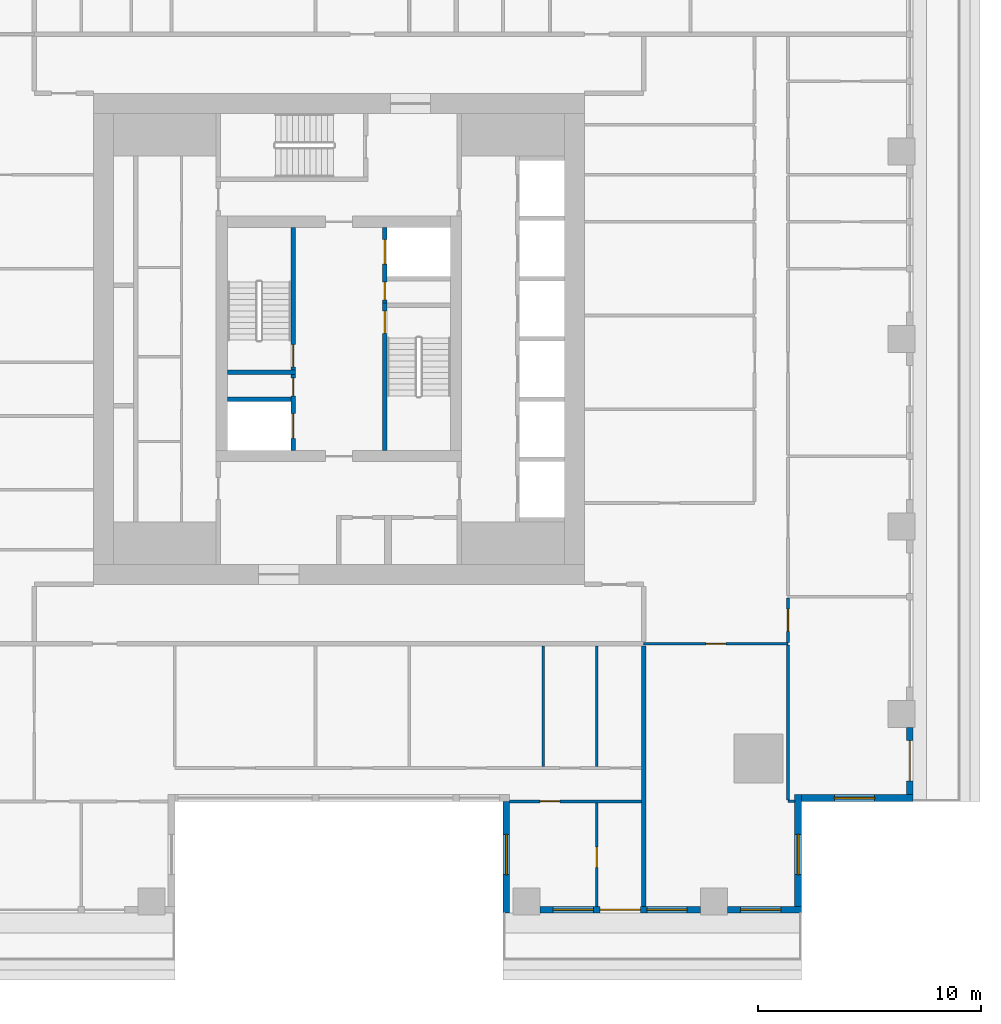
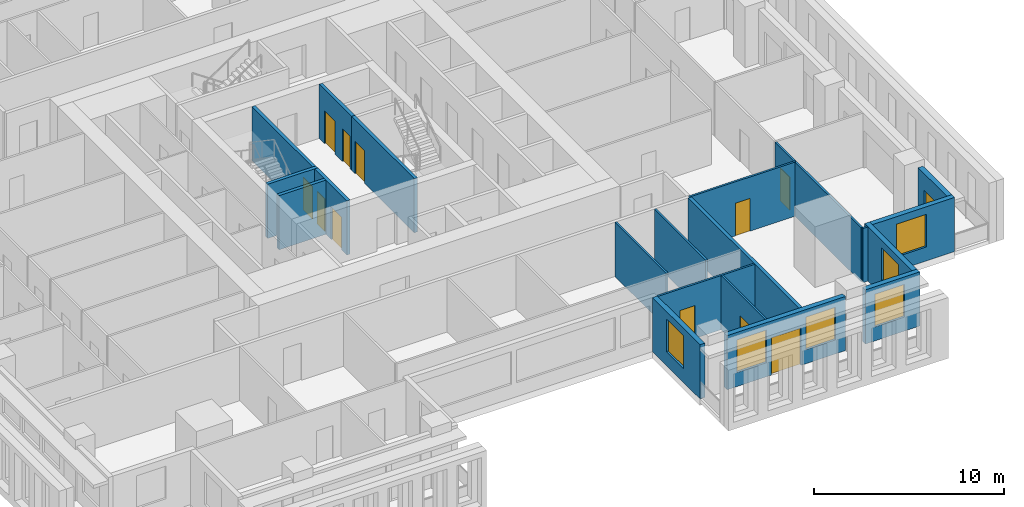
# One storey, part 4 of 15: 21 walls, 12 doors, 6 windows, 18 openings.
"""IFC4 building model written with IfcOpenShell, lengths in metres."""

import ifcopenshell
import ifcopenshell.guid

model = None  # the IFC model being written
_history = None  # IfcOwnerHistory: only IFC2X3 demands one
_inside = {}  # id of a spatial element -> (the spatial element, [elements in it])
_under = {}  # id of a project, library or spatial element -> (it, [spatial elements below it])
_declared = {}  # id of a project -> (the project, [libraries it declares])
_typed = {}  # id of a type object -> (the type object, [elements of that type])
_made_of = {}  # id of a material, layer set ... -> (it, [elements and type objects made of it])


def new_model(schema):
    """Start an empty IFC model of exactly this schema.

    Asked for "IFC4X3", IfcOpenShell would pick the latest addendum, in which some entities
    have other attributes; the version numbers below select the first issue.
    IFC2X3 requires an IfcOwnerHistory on every rooted entity: one is made here for all.
    """
    global model, _history
    if schema == "IFC4X3":
        model = ifcopenshell.file(schema_version=(4, 3, 0, 0))
    else:
        model = ifcopenshell.file(schema=schema)
    _inside.clear()
    _under.clear()
    _declared.clear()
    _typed.clear()
    _made_of.clear()
    _history = None
    if model.schema == "IFC2X3":
        org = make("IfcOrganization", Name="unknown")
        user = make(
            "IfcPersonAndOrganization",
            ThePerson=make("IfcPerson", FamilyName="unknown"),
            TheOrganization=org,
        )
        app = make(
            "IfcApplication",
            ApplicationDeveloper=org,
            Version="unknown",
            ApplicationFullName="unknown",
            ApplicationIdentifier="unknown",
        )
        _history = make(
            "IfcOwnerHistory",
            OwningUser=user,
            OwningApplication=app,
            ChangeAction="ADDED",
            CreationDate=0,
        )
    return model


def make(cls, **values):
    """One entity of the class cls with the attributes given. An attribute that is None is left unset."""
    return model.create_entity(
        cls, **{name: value for name, value in values.items() if value is not None}
    )


def rooted(cls, **values):
    """An entity with a GlobalId (a new one), such as an element, a storey or a relation."""
    return make(cls, GlobalId=ifcopenshell.guid.new(), OwnerHistory=_history, **values)


def si_unit(unit_type, name, prefix=None):
    """IfcSIUnit, for example si_unit("LENGTHUNIT", "METRE", prefix="MILLI")."""
    return make("IfcSIUnit", UnitType=unit_type, Prefix=prefix, Name=name)


def assignment(units):
    """IfcUnitAssignment: the units of a project."""
    return None if units is None else make("IfcUnitAssignment", Units=units)


def point(xyz):
    """IfcCartesianPoint."""
    return None if xyz is None else make("IfcCartesianPoint", Coordinates=xyz)


def direction(xyz):
    """IfcDirection."""
    return None if xyz is None else make("IfcDirection", DirectionRatios=xyz)


def frame(location, z_axis=None, x_axis=None):
    """IfcAxis2Placement3D, a coordinate frame: its origin and axes. An axis left out is left unset."""
    return make(
        "IfcAxis2Placement3D",
        Location=point(location),
        Axis=direction(z_axis),
        RefDirection=direction(x_axis),
    )


def frame_2d(location, x_axis=None):
    """IfcAxis2Placement2D, a coordinate frame in the plane: its origin and x axis."""
    return make(
        "IfcAxis2Placement2D", Location=point(location), RefDirection=direction(x_axis)
    )


def origin():
    """The frame at (0, 0, 0) with its axes left unset."""
    return frame((0.0, 0.0, 0.0))


def place(relative_to, where):
    """IfcLocalPlacement: puts the frame where relative to a parent placement (None: the world)."""
    return make(
        "IfcLocalPlacement", PlacementRelTo=relative_to, RelativePlacement=where
    )


def context(
    kind, dimensions, precision=None, world=None, true_north=None, identifier=None
):
    """IfcGeometricRepresentationContext, for example the 3D "Model" context."""
    return make(
        "IfcGeometricRepresentationContext",
        ContextIdentifier=identifier,
        ContextType=kind,
        CoordinateSpaceDimension=dimensions,
        Precision=precision,
        WorldCoordinateSystem=world,
        TrueNorth=true_north,
    )


def subcontext(parent, identifier, kind, view, scale=None):
    """IfcGeometricRepresentationSubContext, for example "Body" below "Model"."""
    return make(
        "IfcGeometricRepresentationSubContext",
        ContextIdentifier=identifier,
        ContextType=kind,
        ParentContext=parent,
        TargetScale=scale,
        TargetView=view,
    )


def project(units=None, contexts=None):
    """IfcProject with its units and contexts."""
    return rooted(
        "IfcProject",
        Name="project",
        RepresentationContexts=contexts,
        UnitsInContext=assignment(units),
    )


def spatial(cls, under=None, at=None, **own):
    """A site, building, storey or space (cls), placed at a placement, below another one or the project."""
    s = rooted(cls, ObjectPlacement=at, **own)
    if under is not None:
        _under.setdefault(under.id(), (under, []))[1].append(s)
    return s


def profile(cls, at=None, kind="AREA", **sizes):
    """A parametric profile (cls). Its sizes go by their IFC names, for example OverallWidth=200.0."""
    return make(cls, ProfileType=kind, Position=at, **sizes)


def rectangle(**sizes):
    """IfcRectangleProfileDef."""
    return profile("IfcRectangleProfileDef", **sizes)


def extrude(swept, where, along, depth):
    """IfcExtrudedAreaSolid: the profile swept, set in the frame where, extruded along a direction by depth."""
    return make(
        "IfcExtrudedAreaSolid",
        SweptArea=swept,
        Position=where,
        ExtrudedDirection=direction(along),
        Depth=depth,
    )


def shape(context_of_items, identifier, shape_type, items):
    """IfcShapeRepresentation: the items that make up one representation, for example the "Body"."""
    return make(
        "IfcShapeRepresentation",
        ContextOfItems=context_of_items,
        RepresentationIdentifier=identifier,
        RepresentationType=shape_type,
        Items=items,
    )


def material(Name=None, Category=None):
    """IfcMaterial."""
    return make("IfcMaterial", Name=Name, Category=Category)


def layer(
    of_material, thickness, ventilated=None, Name=None, Category=None, Priority=None
):
    """IfcMaterialLayer: one layer of a wall or slab, of a material (None: an air gap)."""
    return make(
        "IfcMaterialLayer",
        Material=of_material,
        LayerThickness=thickness,
        IsVentilated=ventilated,
        Name=Name,
        Category=Category,
        Priority=Priority,
    )


def layer_set(layers, Name=None):
    """IfcMaterialLayerSet."""
    return make("IfcMaterialLayerSet", MaterialLayers=layers, LayerSetName=Name)


def made_of(thing, what):
    """Note that an element or type object is made of a material, layer set ...; save() writes the relation."""
    if what is not None:
        _made_of.setdefault(what.id(), (what, []))[1].append(thing)
    return thing


def type_object(cls, material=None, **own):
    """A type object (cls), such as IfcWallType, which elements share."""
    return made_of(rooted(cls, **own), material)


def element(
    cls,
    number,
    at=None,
    inside=None,
    cuts=None,
    type_object=None,
    material=None,
    context=None,
    identifier="Body",
    shape_type=None,
    held_by="IfcProductDefinitionShape",
    body=None,
    shapes=None,
    **own,
):
    """One element of the class cls, such as IfcWall. Its Tag is "e" and its number.

    at: its placement. inside: the storey or other place that contains it. cuts: it is an
    opening in that element (IfcRelVoidsElement). A single representation is given by context,
    identifier, shape_type and body (its items); several are given by shapes. held_by: the class
    of the entity that holds the representations. save() writes the other relations.
    """
    e = rooted(cls, Tag="e%d" % number, ObjectPlacement=at, **own)
    if body is not None:
        shapes = [shape(context, identifier, shape_type, body)]
    if shapes is not None:
        e.Representation = make(held_by, Representations=shapes)
    if inside is not None:
        _inside.setdefault(inside.id(), (inside, []))[1].append(e)
    if cuts is not None:
        rooted(
            "IfcRelVoidsElement", RelatingBuildingElement=cuts, RelatedOpeningElement=e
        )
    if type_object is not None:
        _typed.setdefault(type_object.id(), (type_object, []))[1].append(e)
    return made_of(e, material)


def fill(opening, filler):
    """IfcRelFillsElement: the door or window that sits in an opening."""
    return rooted(
        "IfcRelFillsElement",
        RelatingOpeningElement=opening,
        RelatedBuildingElement=filler,
    )


def aggregate(whole, parts):
    """IfcRelAggregates: a whole, such as a stair, and the parts it consists of."""
    return rooted("IfcRelAggregates", RelatingObject=whole, RelatedObjects=parts)


def save(model, path):
    """Write the relations noted so far, then the file.

    IfcRelAggregates (storeys below a building ...), IfcRelContainedInSpatialStructure (elements
    in a storey), IfcRelDefinesByType, IfcRelAssociatesMaterial and IfcRelDeclares: one each for
    every whole, place, type object, material and project.
    """
    for whole, parts in _under.values():
        aggregate(whole, parts)
    for where, things in _inside.values():
        rooted(
            "IfcRelContainedInSpatialStructure",
            RelatedElements=things,
            RelatingStructure=where,
        )
    for kind, things in _typed.values():
        rooted("IfcRelDefinesByType", RelatedObjects=things, RelatingType=kind)
    for what, things in _made_of.values():
        rooted("IfcRelAssociatesMaterial", RelatedObjects=things, RelatingMaterial=what)
    for by, libraries in _declared.values():
        rooted("IfcRelDeclares", RelatingContext=by, RelatedDefinitions=libraries)
    model.write(path)


model = new_model("IFC4")

# Units and contexts
model_context = context("Model", 3, precision=1e-05, world=origin(), true_north=direction((0.0, 1.0)))
body_context = subcontext(model_context, "Body", "Model", "MODEL_VIEW")
ifc_project = project(units=[si_unit("LENGTHUNIT", "METRE"), si_unit("AREAUNIT", "SQUARE_METRE"), si_unit("VOLUMEUNIT", "CUBIC_METRE"), si_unit("PLANEANGLEUNIT", "RADIAN"), si_unit("MASSUNIT", "GRAM", prefix="KILO")], contexts=[model_context])

# Site, building, storey
site_placement = place(None, origin())
site = spatial("IfcSite", under=ifc_project, at=site_placement, CompositionType="ELEMENT")
building_placement = place(site_placement, origin())
building = spatial("IfcBuilding", under=site, at=building_placement, Name="Khepri Terraces", CompositionType="ELEMENT")
storey_placement = place(building_placement, frame((0.0, 0.0, 260.10009765625)))
storey = spatial("IfcBuildingStorey", under=building, at=storey_placement, Name="L62", CompositionType="ELEMENT", Elevation=260.10009765625)

# Wall, opening, door
ifc_material_1 = material(Name="Concrete C40/50", Category="concrete")
ifc_layer_1 = layer(ifc_material_1, 0.199951171875, Name="Concrete C40/50", Category="concrete")
ifc_layer_set_1 = layer_set([ifc_layer_1], Name="Concrete C40/50")
wall_type_1 = type_object("IfcWallType", Name="Core wall 200 C40/50", PredefinedType="SHEAR", material=ifc_layer_set_1)
wall_1_placement = place(storey_placement, frame((2.050048828125, -5.0, 0.0), z_axis=(0.0, 0.0, 1.0), x_axis=(0.0, 1.0, 0.0)))
wall_1 = element("IfcWall", 1, at=wall_1_placement, inside=storey, type_object=wall_type_1, Name="Core wall ST01 L62", PredefinedType="SHEAR", context=body_context, shape_type="SweptSolid", body=[
    extrude(rectangle(XDim=6.60009765625, YDim=0.199951171875, at=frame_2d((3.300048828125, 0.0))), origin(), (0.0, 0.0, 1.0), 3.47998046875),
])
opening_1_placement = place(wall_1_placement, frame((5.25, 0.0, 0.0)))
opening_1 = element("IfcOpeningElement", 2, at=opening_1_placement, cuts=wall_1, Name="Opening L62-C10", PredefinedType="OPENING", context=body_context, shape_type="SweptSolid", body=[
    extrude(rectangle(XDim=1.0, YDim=2.10009765625, at=frame_2d((0.5, 1.050048828125))), frame((0.0, 0.10986328125, 0.0), z_axis=(0.0, -1.0, 0.0), x_axis=(1.0, 0.0, 0.0)), (0.0, 0.0, 1.0), 0.219970703125),
])
ifc_material_2 = material(Name="Painted steel", Category="steel")
door_type_1 = type_object("IfcDoorType", Name="DR-CORE-STAIR-1000", OperationType="NOTDEFINED", PredefinedType="DOOR", material=ifc_material_2)
door_1_placement = place(opening_1_placement, frame((1.0, 0.0, 0.0), z_axis=(0.0, 0.0, 1.0), x_axis=(-1.0, 0.0, 0.0)))
door_1 = element("IfcDoor", 3, at=door_1_placement, inside=storey, type_object=door_type_1, Name="Stair door L62-C10", OperationType="SINGLE_SWING_LEFT", OverallHeight=2.10009765625, OverallWidth=1.0, PredefinedType="DOOR", context=body_context, shape_type="SweptSolid", body=[
    extrude(rectangle(XDim=1.0, YDim=2.10009765625, at=frame_2d((0.5, 1.050048828125))), frame((0.0, 0.02490234375, 0.0), z_axis=(0.0, -1.0, 0.0), x_axis=(1.0, 0.0, 0.0)), (0.0, 0.0, 1.0), 0.050048828125),
])
fill(opening_1, door_1)

# Wall
wall_2_placement = place(storey_placement, frame((-5.0, -1.5, 0.0), z_axis=(0.0, 0.0, 1.0), x_axis=(1.0, 0.0, 0.0)))
element("IfcWall", 4, at=wall_2_placement, inside=storey, type_object=wall_type_1, Name="Core wall ST02 L62", PredefinedType="SHEAR", context=body_context, shape_type="SweptSolid", body=[
    extrude(rectangle(XDim=3.050048828125, YDim=0.199951171875, at=frame_2d((1.52490234375, 0.0))), origin(), (0.0, 0.0, 1.0), 3.47998046875),
])

# Wall, opening, door
wall_3_placement = place(storey_placement, frame((-2.050048828125, -1.39990234375, 0.0), z_axis=(0.0, 0.0, 1.0), x_axis=(0.0, 1.0, 0.0)))
wall_3 = element("IfcWall", 5, at=wall_3_placement, inside=storey, type_object=wall_type_1, Name="Core wall ST03 L62", PredefinedType="SHEAR", context=body_context, shape_type="SweptSolid", body=[
    extrude(rectangle(XDim=6.39990234375, YDim=0.199951171875, at=frame_2d((3.199951171875, 0.0))), origin(), (0.0, 0.0, 1.0), 3.47998046875),
])
opening_2_placement = place(wall_3_placement, frame((0.14990234375, 0.0, 0.0)))
opening_2 = element("IfcOpeningElement", 6, at=opening_2_placement, cuts=wall_3, Name="Opening L62-C09", PredefinedType="OPENING", context=body_context, shape_type="SweptSolid", body=[
    extrude(rectangle(XDim=1.0, YDim=2.10009765625, at=frame_2d((0.5, 1.050048828125))), frame((0.0, 0.10986328125, 0.0), z_axis=(0.0, -1.0, 0.0), x_axis=(1.0, 0.0, 0.0)), (0.0, 0.0, 1.0), 0.219970703125),
])
door_2_placement = place(opening_2_placement, origin())
door_2 = element("IfcDoor", 7, at=door_2_placement, inside=storey, type_object=door_type_1, Name="Stair door L62-C09", OperationType="SINGLE_SWING_LEFT", OverallHeight=2.10009765625, OverallWidth=1.0, PredefinedType="DOOR", context=body_context, shape_type="SweptSolid", body=[
    extrude(rectangle(XDim=1.0, YDim=2.10009765625, at=frame_2d((0.5, 1.050048828125))), frame((0.0, 0.02490234375, 0.0), z_axis=(0.0, -1.0, 0.0), x_axis=(1.0, 0.0, 0.0)), (0.0, 0.0, 1.0), 0.050048828125),
])
fill(opening_2, door_2)

# Wall, openings, doors
wall_4_placement = place(storey_placement, frame((-2.050048828125, -5.0, 0.0), z_axis=(0.0, 0.0, 1.0), x_axis=(0.0, 1.0, 0.0)))
wall_4 = element("IfcWall", 8, at=wall_4_placement, inside=storey, type_object=wall_type_1, Name="Core wall SH05 L62", PredefinedType="SHEAR", context=body_context, shape_type="SweptSolid", body=[
    extrude(rectangle(XDim=3.39990234375, YDim=0.199951171875, at=frame_2d((1.699951171875, 0.0))), origin(), (0.0, 0.0, 1.0), 3.47998046875),
])
opening_3_placement = place(wall_4_placement, frame((0.550048828125, 0.0, 0.0)))
opening_3 = element("IfcOpeningElement", 9, at=opening_3_placement, cuts=wall_4, Name="Opening L62-C08", PredefinedType="OPENING", context=body_context, shape_type="SweptSolid", body=[
    extrude(rectangle(XDim=1.10009765625, YDim=2.10009765625, at=frame_2d((0.550048828125, 1.050048828125))), frame((0.0, 0.10986328125, 0.0), z_axis=(0.0, -1.0, 0.0), x_axis=(1.0, 0.0, 0.0)), (0.0, 0.0, 1.0), 0.219970703125),
])
opening_4_placement = place(wall_4_placement, frame((2.449951171875, 0.0, 0.0)))
opening_4 = element("IfcOpeningElement", 10, at=opening_4_placement, cuts=wall_4, Name="Opening L62-C12", PredefinedType="OPENING", context=body_context, shape_type="SweptSolid", body=[
    extrude(rectangle(XDim=0.800048828125, YDim=2.10009765625, at=frame_2d((0.39990234375, 1.050048828125))), frame((0.0, 0.10986328125, 0.0), z_axis=(0.0, -1.0, 0.0), x_axis=(1.0, 0.0, 0.0)), (0.0, 0.0, 1.0), 0.219970703125),
])
ifc_material_3 = material(Name="Stainless steel 304", Category="steel")
door_type_2 = type_object("IfcDoorType", Name="DR-CORE-FF-LANDING-1100", OperationType="NOTDEFINED", PredefinedType="DOOR", material=ifc_material_3)
door_3_placement = place(opening_3_placement, origin())
door_3 = element("IfcDoor", 11, at=door_3_placement, inside=storey, type_object=door_type_2, Name="Firefighting lift landing door L62-C08", OperationType="SLIDING_TO_LEFT", OverallHeight=2.10009765625, OverallWidth=1.10009765625, PredefinedType="DOOR", context=body_context, shape_type="SweptSolid", body=[
    extrude(rectangle(XDim=1.10009765625, YDim=2.10009765625, at=frame_2d((0.550048828125, 1.050048828125))), frame((0.0, 0.02490234375, 0.0), z_axis=(0.0, -1.0, 0.0), x_axis=(1.0, 0.0, 0.0)), (0.0, 0.0, 1.0), 0.050048828125),
])
fill(opening_3, door_3)
door_type_3 = type_object("IfcDoorType", Name="DR-CORE-RISER-800", OperationType="NOTDEFINED", PredefinedType="DOOR", material=ifc_material_2)
door_4_placement = place(opening_4_placement, origin())
door_4 = element("IfcDoor", 12, at=door_4_placement, inside=storey, type_object=door_type_3, Name="Riser door L62-C12", OperationType="SINGLE_SWING_RIGHT", OverallHeight=2.10009765625, OverallWidth=0.800048828125, PredefinedType="DOOR", context=body_context, shape_type="SweptSolid", body=[
    extrude(rectangle(XDim=0.800048828125, YDim=2.10009765625, at=frame_2d((0.39990234375, 1.050048828125))), frame((0.0, 0.02490234375, 0.0), z_axis=(0.0, -1.0, 0.0), x_axis=(1.0, 0.0, 0.0)), (0.0, 0.0, 1.0), 0.050048828125),
])
fill(opening_4, door_4)

# Wall
wall_5_placement = place(storey_placement, frame((-5.0, -2.699951171875, 0.0), z_axis=(0.0, 0.0, 1.0), x_axis=(1.0, 0.0, 0.0)))
element("IfcWall", 13, at=wall_5_placement, inside=storey, type_object=wall_type_1, Name="Core wall SH07 L62", PredefinedType="SHEAR", context=body_context, shape_type="SweptSolid", body=[
    extrude(rectangle(XDim=2.85009765625, YDim=0.199951171875, at=frame_2d((1.425048828125, 0.0))), origin(), (0.0, 0.0, 1.0), 3.47998046875),
])

# Wall, openings, doors
wall_6_placement = place(storey_placement, frame((2.050048828125, 1.60009765625, 0.0), z_axis=(0.0, 0.0, 1.0), x_axis=(0.0, 1.0, 0.0)))
wall_6 = element("IfcWall", 14, at=wall_6_placement, inside=storey, type_object=wall_type_1, Name="Core wall SH10 L62", PredefinedType="SHEAR", context=body_context, shape_type="SweptSolid", body=[
    extrude(rectangle(XDim=3.39990234375, YDim=0.199951171875, at=frame_2d((1.699951171875, 0.0))), origin(), (0.0, 0.0, 1.0), 3.47998046875),
])
opening_5_placement = place(wall_6_placement, frame((1.75, 0.0, 0.0)))
opening_5 = element("IfcOpeningElement", 15, at=opening_5_placement, cuts=wall_6, Name="Opening L62-C07", PredefinedType="OPENING", context=body_context, shape_type="SweptSolid", body=[
    extrude(rectangle(XDim=1.10009765625, YDim=2.10009765625, at=frame_2d((0.550048828125, 1.050048828125))), frame((0.0, 0.10986328125, 0.0), z_axis=(0.0, -1.0, 0.0), x_axis=(1.0, 0.0, 0.0)), (0.0, 0.0, 1.0), 0.219970703125),
])
opening_6_placement = place(wall_6_placement, frame((0.14990234375, 0.0, 0.0)))
opening_6 = element("IfcOpeningElement", 16, at=opening_6_placement, cuts=wall_6, Name="Opening L62-C11", PredefinedType="OPENING", context=body_context, shape_type="SweptSolid", body=[
    extrude(rectangle(XDim=0.800048828125, YDim=2.10009765625, at=frame_2d((0.39990234375, 1.050048828125))), frame((0.0, 0.10986328125, 0.0), z_axis=(0.0, -1.0, 0.0), x_axis=(1.0, 0.0, 0.0)), (0.0, 0.0, 1.0), 0.219970703125),
])
door_5_placement = place(opening_5_placement, origin())
door_5 = element("IfcDoor", 17, at=door_5_placement, inside=storey, type_object=door_type_2, Name="Firefighting lift landing door L62-C07", OperationType="SLIDING_TO_LEFT", OverallHeight=2.10009765625, OverallWidth=1.10009765625, PredefinedType="DOOR", context=body_context, shape_type="SweptSolid", body=[
    extrude(rectangle(XDim=1.10009765625, YDim=2.10009765625, at=frame_2d((0.550048828125, 1.050048828125))), frame((0.0, 0.02490234375, 0.0), z_axis=(0.0, -1.0, 0.0), x_axis=(1.0, 0.0, 0.0)), (0.0, 0.0, 1.0), 0.050048828125),
])
fill(opening_5, door_5)
door_6_placement = place(opening_6_placement, frame((0.800048828125, 0.0, 0.0), z_axis=(0.0, 0.0, 1.0), x_axis=(-1.0, 0.0, 0.0)))
door_6 = element("IfcDoor", 18, at=door_6_placement, inside=storey, type_object=door_type_3, Name="Riser door L62-C11", OperationType="SINGLE_SWING_RIGHT", OverallHeight=2.10009765625, OverallWidth=0.800048828125, PredefinedType="DOOR", context=body_context, shape_type="SweptSolid", body=[
    extrude(rectangle(XDim=0.800048828125, YDim=2.10009765625, at=frame_2d((0.39990234375, 1.050048828125))), frame((0.0, 0.02490234375, 0.0), z_axis=(0.0, -1.0, 0.0), x_axis=(1.0, 0.0, 0.0)), (0.0, 0.0, 1.0), 0.050048828125),
])
fill(opening_6, door_6)

# Wall
ifc_material_4 = material(Name="Fire-rated gypsum plasterboard partition, mineral wool")
ifc_layer_2 = layer(ifc_material_4, 0.199951171875, Name="Fire-rated gypsum plasterboard partition, mineral wool")
ifc_layer_set_2 = layer_set([ifc_layer_2], Name="Fire-rated gypsum plasterboard partition, mineral wool")
wall_type_2 = type_object("IfcWallType", Name="WL-CORR-200", PredefinedType="PARTITIONING", material=ifc_layer_set_2)
wall_7_placement = place(storey_placement, frame((13.64990234375, -25.419921875, 0.0), z_axis=(0.0, 0.0, 1.0), x_axis=(0.0, 1.0, 0.0)))
element("IfcWall", 19, at=wall_7_placement, inside=storey, type_object=wall_type_2, Name="Partition P-003 L62", PredefinedType="PARTITIONING", context=body_context, shape_type="SweptSolid", body=[
    extrude(rectangle(XDim=11.669921875, YDim=0.199951171875, at=frame_2d((5.8349609375, 0.0))), origin(), (0.0, 0.0, 1.0), 3.47998046875),
])

# Wall, opening, window
ifc_material_5 = material(Name="Precast concrete C50/60 warm stone", Category="masonry")
ifc_layer_3 = layer(ifc_material_5, 0.300048828125, Name="Precast concrete C50/60 warm stone", Category="masonry")
ifc_layer_set_3 = layer_set([ifc_layer_3], Name="Precast concrete C50/60 warm stone")
wall_type_3 = type_object("IfcWallType", Name="WL-EXT-PRECAST-300", PredefinedType="STANDARD", material=ifc_layer_set_3)
wall_8_placement = place(storey_placement, frame((20.719970703125, -20.570068359375, 0.0), z_axis=(0.0, 0.0, 1.0), x_axis=(1.0, 0.0, 0.0)))
wall_8 = element("IfcWall", 20, at=wall_8_placement, inside=storey, type_object=wall_type_3, Name="External wall L62 S", PredefinedType="STANDARD", context=body_context, shape_type="SweptSolid", body=[
    extrude(rectangle(XDim=5.0, YDim=0.300048828125, at=frame_2d((2.5, 0.0))), origin(), (0.0, 0.0, 1.0), 3.47998046875),
])
opening_7_placement = place(wall_8_placement, frame((1.47998046875, 0.0, 0.89990234375)))
opening_7 = element("IfcOpeningElement", 21, at=opening_7_placement, cuts=wall_8, Name="Opening W1", PredefinedType="OPENING", context=body_context, shape_type="SweptSolid", body=[
    extrude(rectangle(XDim=1.800048828125, YDim=2.10009765625, at=frame_2d((0.89990234375, 1.050048828125))), frame((0.0, 0.16015625, 0.0), z_axis=(0.0, -1.0, 0.0), x_axis=(1.0, 0.0, 0.0)), (0.0, 0.0, 1.0), 0.320068359375),
])
ifc_material_6 = material(Name="Clear glass", Category="glass")
window_type = type_object("IfcWindowType", Name="WIN-RES-1800x2100", PartitioningType="SINGLE_PANEL", PredefinedType="WINDOW", material=ifc_material_6)
window_1_placement = place(opening_7_placement, origin())
window_1 = element("IfcWindow", 22, at=window_1_placement, inside=storey, type_object=window_type, Name="Window L62 S", OverallHeight=2.10009765625, OverallWidth=1.800048828125, PartitioningType="SINGLE_PANEL", PredefinedType="WINDOW", context=body_context, shape_type="SweptSolid", body=[
    extrude(rectangle(XDim=1.800048828125, YDim=2.10009765625, at=frame_2d((0.89990234375, 1.050048828125))), frame((0.0, 0.030029296875, 0.0), z_axis=(0.0, -1.0, 0.0), x_axis=(1.0, 0.0, 0.0)), (0.0, 0.0, 1.0), 0.06005859375),
])
fill(opening_7, window_1)

# Wall, opening, door
wall_9_placement = place(storey_placement, frame((25.570068359375, -20.419921875, 0.0), z_axis=(0.0, 0.0, 1.0), x_axis=(0.0, 1.0, 0.0)))
wall_9 = element("IfcWall", 23, at=wall_9_placement, inside=storey, type_object=wall_type_3, Name="External wall L62 E", PredefinedType="STANDARD", context=body_context, shape_type="SweptSolid", body=[
    extrude(rectangle(XDim=3.02001953125, YDim=0.300048828125, at=frame_2d((1.510009765625, 0.0))), origin(), (0.0, 0.0, 1.0), 3.47998046875),
])
opening_8_placement = place(wall_9_placement, frame((0.6201171875, 0.0, 0.0)))
opening_8 = element("IfcOpeningElement", 24, at=opening_8_placement, cuts=wall_9, Name="Opening ED-L62-01", PredefinedType="OPENING", context=body_context, shape_type="SweptSolid", body=[
    extrude(rectangle(XDim=1.800048828125, YDim=2.39990234375, at=frame_2d((0.89990234375, 1.199951171875))), frame((0.0, 0.16015625, 0.0), z_axis=(0.0, -1.0, 0.0), x_axis=(1.0, 0.0, 0.0)), (0.0, 0.0, 1.0), 0.320068359375),
])
ifc_material_7 = material(Name="Anodised aluminium bronze glazed door", Category="aluminium")
door_type_4 = type_object("IfcDoorType", Name="DR-BAL-SLIDE-1800x2400", OperationType="NOTDEFINED", PredefinedType="DOOR", material=ifc_material_7)
door_7_placement = place(opening_8_placement, origin())
door_7 = element("IfcDoor", 25, at=door_7_placement, inside=storey, type_object=door_type_4, Name="Balcony door L62 E", OperationType="SLIDING_TO_RIGHT", OverallHeight=2.39990234375, OverallWidth=1.800048828125, PredefinedType="DOOR", context=body_context, shape_type="SweptSolid", body=[
    extrude(rectangle(XDim=1.800048828125, YDim=2.39990234375, at=frame_2d((0.89990234375, 1.199951171875))), frame((0.0, 0.02490234375, 0.0), z_axis=(0.0, -1.0, 0.0), x_axis=(1.0, 0.0, 0.0)), (0.0, 0.0, 1.0), 0.050048828125),
])
fill(opening_8, door_7)

# Wall, opening, window
wall_10_placement = place(storey_placement, frame((7.5, -20.719970703125, 0.0), z_axis=(0.0, 0.0, 1.0), x_axis=(0.0, -1.0, 0.0)))
wall_10 = element("IfcWall", 26, at=wall_10_placement, inside=storey, type_object=wall_type_3, Name="External wall L62 W", PredefinedType="STANDARD", context=body_context, shape_type="SweptSolid", body=[
    extrude(rectangle(XDim=5.0, YDim=0.300048828125, at=frame_2d((2.5, 0.0))), origin(), (0.0, 0.0, 1.0), 3.47998046875),
])
opening_9_placement = place(wall_10_placement, frame((1.47998046875, 0.0, 0.89990234375)))
opening_9 = element("IfcOpeningElement", 27, at=opening_9_placement, cuts=wall_10, Name="Opening W1", PredefinedType="OPENING", context=body_context, shape_type="SweptSolid", body=[
    extrude(rectangle(XDim=1.800048828125, YDim=2.10009765625, at=frame_2d((0.89990234375, 1.050048828125))), frame((0.0, 0.16015625, 0.0), z_axis=(0.0, -1.0, 0.0), x_axis=(1.0, 0.0, 0.0)), (0.0, 0.0, 1.0), 0.320068359375),
])
window_2_placement = place(opening_9_placement, origin())
window_2 = element("IfcWindow", 28, at=window_2_placement, inside=storey, type_object=window_type, Name="Window L62 W", OverallHeight=2.10009765625, OverallWidth=1.800048828125, PartitioningType="SINGLE_PANEL", PredefinedType="WINDOW", context=body_context, shape_type="SweptSolid", body=[
    extrude(rectangle(XDim=1.800048828125, YDim=2.10009765625, at=frame_2d((0.89990234375, 1.050048828125))), frame((0.0, 0.030029296875, 0.0), z_axis=(0.0, -1.0, 0.0), x_axis=(1.0, 0.0, 0.0)), (0.0, 0.0, 1.0), 0.06005859375),
])
fill(opening_9, window_2)

# Wall, openings, door, windows
wall_11_placement = place(storey_placement, frame((9.0, -25.570068359375, 0.0), z_axis=(0.0, 0.0, 1.0), x_axis=(1.0, 0.0, 0.0)))
wall_11 = element("IfcWall", 29, at=wall_11_placement, inside=storey, type_object=wall_type_3, Name="External wall L62 S", PredefinedType="STANDARD", context=body_context, shape_type="SweptSolid", body=[
    extrude(rectangle(XDim=7.199951171875, YDim=0.300048828125, at=frame_2d((3.60009765625, 0.0))), origin(), (0.0, 0.0, 1.0), 3.47998046875),
])
opening_10_placement = place(wall_11_placement, frame((0.60009765625, 0.0, 0.89990234375)))
opening_10 = element("IfcOpeningElement", 30, at=opening_10_placement, cuts=wall_11, Name="Opening W1", PredefinedType="OPENING", context=body_context, shape_type="SweptSolid", body=[
    extrude(rectangle(XDim=1.800048828125, YDim=2.10009765625, at=frame_2d((0.89990234375, 1.050048828125))), frame((0.0, 0.16015625, 0.0), z_axis=(0.0, -1.0, 0.0), x_axis=(1.0, 0.0, 0.0)), (0.0, 0.0, 1.0), 0.320068359375),
])
opening_11_placement = place(wall_11_placement, frame((2.699951171875, 0.0, 0.0)))
opening_11 = element("IfcOpeningElement", 31, at=opening_11_placement, cuts=wall_11, Name="Opening ED-L62-18", PredefinedType="OPENING", context=body_context, shape_type="SweptSolid", body=[
    extrude(rectangle(XDim=1.800048828125, YDim=2.39990234375, at=frame_2d((0.89990234375, 1.199951171875))), frame((0.0, 0.16015625, 0.0), z_axis=(0.0, -1.0, 0.0), x_axis=(1.0, 0.0, 0.0)), (0.0, 0.0, 1.0), 0.320068359375),
])
opening_12_placement = place(wall_11_placement, frame((4.800048828125, 0.0, 0.89990234375)))
opening_12 = element("IfcOpeningElement", 32, at=opening_12_placement, cuts=wall_11, Name="Opening W1", PredefinedType="OPENING", context=body_context, shape_type="SweptSolid", body=[
    extrude(rectangle(XDim=1.800048828125, YDim=2.10009765625, at=frame_2d((0.89990234375, 1.050048828125))), frame((0.0, 0.16015625, 0.0), z_axis=(0.0, -1.0, 0.0), x_axis=(1.0, 0.0, 0.0)), (0.0, 0.0, 1.0), 0.320068359375),
])
door_8_placement = place(opening_11_placement, origin())
door_8 = element("IfcDoor", 33, at=door_8_placement, inside=storey, type_object=door_type_4, Name="Balcony door L62 S", OperationType="SLIDING_TO_RIGHT", OverallHeight=2.39990234375, OverallWidth=1.800048828125, PredefinedType="DOOR", context=body_context, shape_type="SweptSolid", body=[
    extrude(rectangle(XDim=1.800048828125, YDim=2.39990234375, at=frame_2d((0.89990234375, 1.199951171875))), frame((0.0, 0.02490234375, 0.0), z_axis=(0.0, -1.0, 0.0), x_axis=(1.0, 0.0, 0.0)), (0.0, 0.0, 1.0), 0.050048828125),
])
fill(opening_11, door_8)
window_3_placement = place(opening_10_placement, origin())
window_3 = element("IfcWindow", 34, at=window_3_placement, inside=storey, type_object=window_type, Name="Window L62 S", OverallHeight=2.10009765625, OverallWidth=1.800048828125, PartitioningType="SINGLE_PANEL", PredefinedType="WINDOW", context=body_context, shape_type="SweptSolid", body=[
    extrude(rectangle(XDim=1.800048828125, YDim=2.10009765625, at=frame_2d((0.89990234375, 1.050048828125))), frame((0.0, 0.030029296875, 0.0), z_axis=(0.0, -1.0, 0.0), x_axis=(1.0, 0.0, 0.0)), (0.0, 0.0, 1.0), 0.06005859375),
])
fill(opening_10, window_3)
window_4_placement = place(opening_12_placement, origin())
window_4 = element("IfcWindow", 35, at=window_4_placement, inside=storey, type_object=window_type, Name="Window L62 S", OverallHeight=2.10009765625, OverallWidth=1.800048828125, PartitioningType="SINGLE_PANEL", PredefinedType="WINDOW", context=body_context, shape_type="SweptSolid", body=[
    extrude(rectangle(XDim=1.800048828125, YDim=2.10009765625, at=frame_2d((0.89990234375, 1.050048828125))), frame((0.0, 0.030029296875, 0.0), z_axis=(0.0, -1.0, 0.0), x_axis=(1.0, 0.0, 0.0)), (0.0, 0.0, 1.0), 0.06005859375),
])
fill(opening_12, window_4)

# Wall, opening, window
wall_12_placement = place(storey_placement, frame((17.39990234375, -25.570068359375, 0.0), z_axis=(0.0, 0.0, 1.0), x_axis=(1.0, 0.0, 0.0)))
wall_12 = element("IfcWall", 36, at=wall_12_placement, inside=storey, type_object=wall_type_3, Name="External wall L62 S", PredefinedType="STANDARD", context=body_context, shape_type="SweptSolid", body=[
    extrude(rectangle(XDim=3.320068359375, YDim=0.300048828125, at=frame_2d((1.66015625, 0.0))), origin(), (0.0, 0.0, 1.0), 3.47998046875),
])
opening_13_placement = place(wall_12_placement, frame((0.60009765625, 0.0, 0.89990234375)))
opening_13 = element("IfcOpeningElement", 37, at=opening_13_placement, cuts=wall_12, Name="Opening W1", PredefinedType="OPENING", context=body_context, shape_type="SweptSolid", body=[
    extrude(rectangle(XDim=1.800048828125, YDim=2.10009765625, at=frame_2d((0.89990234375, 1.050048828125))), frame((0.0, 0.16015625, 0.0), z_axis=(0.0, -1.0, 0.0), x_axis=(1.0, 0.0, 0.0)), (0.0, 0.0, 1.0), 0.320068359375),
])
window_5_placement = place(opening_13_placement, origin())
window_5 = element("IfcWindow", 38, at=window_5_placement, inside=storey, type_object=window_type, Name="Window L62 S", OverallHeight=2.10009765625, OverallWidth=1.800048828125, PartitioningType="SINGLE_PANEL", PredefinedType="WINDOW", context=body_context, shape_type="SweptSolid", body=[
    extrude(rectangle(XDim=1.800048828125, YDim=2.10009765625, at=frame_2d((0.89990234375, 1.050048828125))), frame((0.0, 0.030029296875, 0.0), z_axis=(0.0, -1.0, 0.0), x_axis=(1.0, 0.0, 0.0)), (0.0, 0.0, 1.0), 0.06005859375),
])
fill(opening_13, window_5)

wall_13_placement = place(storey_placement, frame((20.570068359375, -25.419921875, 0.0), z_axis=(0.0, 0.0, 1.0), x_axis=(0.0, 1.0, 0.0)))
wall_13 = element("IfcWall", 39, at=wall_13_placement, inside=storey, type_object=wall_type_3, Name="External wall L62 E", PredefinedType="STANDARD", context=body_context, shape_type="SweptSolid", body=[
    extrude(rectangle(XDim=5.0, YDim=0.300048828125, at=frame_2d((2.5, 0.0))), origin(), (0.0, 0.0, 1.0), 3.47998046875),
])
opening_14_placement = place(wall_13_placement, frame((1.419921875, 0.0, 0.89990234375)))
opening_14 = element("IfcOpeningElement", 40, at=opening_14_placement, cuts=wall_13, Name="Opening W1", PredefinedType="OPENING", context=body_context, shape_type="SweptSolid", body=[
    extrude(rectangle(XDim=1.800048828125, YDim=2.10009765625, at=frame_2d((0.89990234375, 1.050048828125))), frame((0.0, 0.16015625, 0.0), z_axis=(0.0, -1.0, 0.0), x_axis=(1.0, 0.0, 0.0)), (0.0, 0.0, 1.0), 0.320068359375),
])
window_6_placement = place(opening_14_placement, origin())
window_6 = element("IfcWindow", 41, at=window_6_placement, inside=storey, type_object=window_type, Name="Window L62 E", OverallHeight=2.10009765625, OverallWidth=1.800048828125, PartitioningType="SINGLE_PANEL", PredefinedType="WINDOW", context=body_context, shape_type="SweptSolid", body=[
    extrude(rectangle(XDim=1.800048828125, YDim=2.10009765625, at=frame_2d((0.89990234375, 1.050048828125))), frame((0.0, 0.030029296875, 0.0), z_axis=(0.0, -1.0, 0.0), x_axis=(1.0, 0.0, 0.0)), (0.0, 0.0, 1.0), 0.06005859375),
])
fill(opening_14, window_6)

# Wall, opening, door
ifc_material_8 = material(Name="Gypsum plasterboard partition")
ifc_layer_4 = layer(ifc_material_8, 0.1201171875, Name="Gypsum plasterboard partition")
ifc_layer_set_4 = layer_set([ifc_layer_4], Name="Gypsum plasterboard partition")
wall_type_4 = type_object("IfcWallType", Name="WL-PART-120", PredefinedType="PARTITIONING", material=ifc_layer_set_4)
wall_14_placement = place(storey_placement, frame((11.550048828125, -25.419921875, 0.0), z_axis=(0.0, 0.0, 1.0), x_axis=(0.0, 1.0, 0.0)))
wall_14 = element("IfcWall", 42, at=wall_14_placement, inside=storey, type_object=wall_type_4, Name="Partition P-002 L62", PredefinedType="PARTITIONING", context=body_context, shape_type="SweptSolid", body=[
    extrude(rectangle(XDim=4.639892578125, YDim=0.1201171875, at=frame_2d((2.31982421875, 0.0))), origin(), (0.0, 0.0, 1.0), 3.47998046875),
])
opening_15_placement = place(wall_14_placement, frame((1.75, 0.0, 0.0)))
opening_15 = element("IfcOpeningElement", 43, at=opening_15_placement, cuts=wall_14, Name="Opening D4", PredefinedType="OPENING", context=body_context, shape_type="SweptSolid", body=[
    extrude(rectangle(XDim=0.89990234375, YDim=2.10009765625, at=frame_2d((0.449951171875, 1.050048828125))), frame((0.0, 0.070068359375, 0.0), z_axis=(0.0, -1.0, 0.0), x_axis=(1.0, 0.0, 0.0)), (0.0, 0.0, 1.0), 0.14013671875),
])
ifc_material_9 = material(Name="Timber door leaf, moisture resistant", Category="wood")
door_type_5 = type_object("IfcDoorType", Name="DR-WET-900", OperationType="NOTDEFINED", PredefinedType="DOOR", material=ifc_material_9)
door_9_placement = place(opening_15_placement, frame((0.89990234375, 0.0, 0.0), z_axis=(0.0, 0.0, 1.0), x_axis=(-1.0, 0.0, 0.0)))
door_9 = element("IfcDoor", 44, at=door_9_placement, inside=storey, type_object=door_type_5, Name="Door Bathroom", OperationType="SINGLE_SWING_RIGHT", OverallHeight=2.10009765625, OverallWidth=0.89990234375, PredefinedType="DOOR", context=body_context, shape_type="SweptSolid", body=[
    extrude(rectangle(XDim=0.89990234375, YDim=2.10009765625, at=frame_2d((0.449951171875, 1.050048828125))), frame((0.0, 0.02490234375, 0.0), z_axis=(0.0, -1.0, 0.0), x_axis=(1.0, 0.0, 0.0)), (0.0, 0.0, 1.0), 0.050048828125),
])
fill(opening_15, door_9)

wall_15_placement = place(storey_placement, frame((7.64990234375, -20.719970703125, 0.0), z_axis=(0.0, 0.0, 1.0), x_axis=(1.0, 0.0, 0.0)))
wall_15 = element("IfcWall", 45, at=wall_15_placement, inside=storey, type_object=wall_type_4, Name="Partition P-005 L62", PredefinedType="PARTITIONING", context=body_context, shape_type="SweptSolid", body=[
    extrude(rectangle(XDim=5.900146484375, YDim=0.1201171875, at=frame_2d((2.9501953125, 0.0))), origin(), (0.0, 0.0, 1.0), 3.47998046875),
])
opening_16_placement = place(wall_15_placement, frame((1.35009765625, 0.0, 0.0)))
opening_16 = element("IfcOpeningElement", 46, at=opening_16_placement, cuts=wall_15, Name="Opening D3", PredefinedType="OPENING", context=body_context, shape_type="SweptSolid", body=[
    extrude(rectangle(XDim=0.89990234375, YDim=2.10009765625, at=frame_2d((0.449951171875, 1.050048828125))), frame((0.0, 0.070068359375, 0.0), z_axis=(0.0, -1.0, 0.0), x_axis=(1.0, 0.0, 0.0)), (0.0, 0.0, 1.0), 0.14013671875),
])
ifc_material_10 = material(Name="Timber door leaf", Category="wood")
door_type_6 = type_object("IfcDoorType", Name="DR-INT-900", OperationType="NOTDEFINED", PredefinedType="DOOR", material=ifc_material_10)
door_10_placement = place(opening_16_placement, frame((0.89990234375, 0.0, 0.0), z_axis=(0.0, 0.0, 1.0), x_axis=(-1.0, 0.0, 0.0)))
door_10 = element("IfcDoor", 47, at=door_10_placement, inside=storey, type_object=door_type_6, Name="Door Bedroom", OperationType="SINGLE_SWING_RIGHT", OverallHeight=2.10009765625, OverallWidth=0.89990234375, PredefinedType="DOOR", context=body_context, shape_type="SweptSolid", body=[
    extrude(rectangle(XDim=0.89990234375, YDim=2.10009765625, at=frame_2d((0.449951171875, 1.050048828125))), frame((0.0, 0.02490234375, 0.0), z_axis=(0.0, -1.0, 0.0), x_axis=(1.0, 0.0, 0.0)), (0.0, 0.0, 1.0), 0.050048828125),
])
fill(opening_16, door_10)

# Walls
wall_16_placement = place(storey_placement, frame((20.1201171875, -20.718994140625, 0.0), z_axis=(0.0, 0.0, 1.0), x_axis=(1.0, 0.0, 0.0)))
element("IfcWall", 48, at=wall_16_placement, inside=storey, type_object=wall_type_4, Name="Partition P-006 L62", PredefinedType="PARTITIONING", context=body_context, shape_type="SweptSolid", body=[
    extrude(rectangle(XDim=0.30078125, YDim=0.1201171875, at=frame_2d((0.150390625, 0.0))), origin(), (0.0, 0.0, 1.0), 3.47998046875),
])
wall_17_placement = place(storey_placement, frame((20.1201171875, -20.658935546875, 0.0), z_axis=(0.0, 0.0, 1.0), x_axis=(0.0, 1.0, 0.0)))
element("IfcWall", 49, at=wall_17_placement, inside=storey, type_object=wall_type_4, Name="Partition P-008 L62", PredefinedType="PARTITIONING", context=body_context, shape_type="SweptSolid", body=[
    extrude(rectangle(XDim=6.948974609375, YDim=0.1201171875, at=frame_2d((3.474609375, 0.0))), origin(), (0.0, 0.0, 1.0), 3.47998046875),
])
for number, where, z_axis, x_axis, name in (
    (50, (9.14990234375, -19.159912109375, 0.0), (0.0, 0.0, 1.0), (0.0, 1.0, 0.0), "Partition P-013 L62"),
    (51, (11.550048828125, -19.159912109375, 0.0), (0.0, 0.0, 1.0), (0.0, 1.0, 0.0), "Partition P-014 L62"),
):
    element("IfcWall", number, at=place(storey_placement, frame(where, z_axis=z_axis, x_axis=x_axis)), inside=storey, type_object=wall_type_4, Name=name, PredefinedType="PARTITIONING", context=body_context, shape_type="SweptSolid", body=[
        extrude(rectangle(XDim=5.409912109375, YDim=0.1201171875, at=frame_2d((2.705078125, 0.0))), origin(), (0.0, 0.0, 1.0), 3.47998046875),
    ])

# Wall, opening, door
wall_18_placement = place(storey_placement, frame((13.64990234375, -13.64990234375, 0.0), z_axis=(0.0, 0.0, 1.0), x_axis=(1.0, 0.0, 0.0)))
wall_18 = element("IfcWall", 52, at=wall_18_placement, inside=storey, type_object=wall_type_4, Name="Partition P-016 L62", PredefinedType="PARTITIONING", context=body_context, shape_type="SweptSolid", body=[
    extrude(rectangle(XDim=6.47021484375, YDim=0.1201171875, at=frame_2d((3.235107421875, 0.0))), origin(), (0.0, 0.0, 1.0), 3.47998046875),
])
opening_17_placement = place(wall_18_placement, frame((2.784912109375, 0.0, 0.0)))
opening_17 = element("IfcOpeningElement", 53, at=opening_17_placement, cuts=wall_18, Name="Opening D3", PredefinedType="OPENING", context=body_context, shape_type="SweptSolid", body=[
    extrude(rectangle(XDim=0.89990234375, YDim=2.10009765625, at=frame_2d((0.449951171875, 1.050048828125))), frame((0.0, 0.070068359375, 0.0), z_axis=(0.0, -1.0, 0.0), x_axis=(1.0, 0.0, 0.0)), (0.0, 0.0, 1.0), 0.14013671875),
])
door_11_placement = place(opening_17_placement, frame((0.89990234375, 0.0, 0.0), z_axis=(0.0, 0.0, 1.0), x_axis=(-1.0, 0.0, 0.0)))
door_11 = element("IfcDoor", 54, at=door_11_placement, inside=storey, type_object=door_type_6, Name="Door Home Gym", OperationType="SINGLE_SWING_LEFT", OverallHeight=2.10009765625, OverallWidth=0.89990234375, PredefinedType="DOOR", context=body_context, shape_type="SweptSolid", body=[
    extrude(rectangle(XDim=0.89990234375, YDim=2.10009765625, at=frame_2d((0.449951171875, 1.050048828125))), frame((0.0, 0.02490234375, 0.0), z_axis=(0.0, -1.0, 0.0), x_axis=(1.0, 0.0, 0.0)), (0.0, 0.0, 1.0), 0.050048828125),
])
fill(opening_17, door_11)

wall_19_placement = place(storey_placement, frame((20.1201171875, -13.590087890625, 0.0), z_axis=(0.0, 0.0, 1.0), x_axis=(0.0, 1.0, 0.0)))
wall_19 = element("IfcWall", 55, at=wall_19_placement, inside=storey, type_object=wall_type_4, Name="Partition P-017 L62", PredefinedType="PARTITIONING", context=body_context, shape_type="SweptSolid", body=[
    extrude(rectangle(XDim=1.97998046875, YDim=0.1201171875, at=frame_2d((0.989990234375, 0.0))), origin(), (0.0, 0.0, 1.0), 3.47998046875),
])
opening_18_placement = place(wall_19_placement, frame((0.489990234375, 0.0, 0.0)))
opening_18 = element("IfcOpeningElement", 56, at=opening_18_placement, cuts=wall_19, Name="Opening D2", PredefinedType="OPENING", context=body_context, shape_type="SweptSolid", body=[
    extrude(rectangle(XDim=1.0, YDim=2.10009765625, at=frame_2d((0.5, 1.050048828125))), frame((0.0, 0.070068359375, 0.0), z_axis=(0.0, -1.0, 0.0), x_axis=(1.0, 0.0, 0.0)), (0.0, 0.0, 1.0), 0.14013671875),
])
ifc_material_11 = material(Name="Timber door leaf, living room door", Category="wood")
door_type_7 = type_object("IfcDoorType", Name="DR-INT-1000", OperationType="NOTDEFINED", PredefinedType="DOOR", material=ifc_material_11)
door_12_placement = place(opening_18_placement, frame((1.0, 0.0, 0.0), z_axis=(0.0, 0.0, 1.0), x_axis=(-1.0, 0.0, 0.0)))
door_12 = element("IfcDoor", 57, at=door_12_placement, inside=storey, type_object=door_type_7, Name="Door Living Room", OperationType="SINGLE_SWING_RIGHT", OverallHeight=2.10009765625, OverallWidth=1.0, PredefinedType="DOOR", context=body_context, shape_type="SweptSolid", body=[
    extrude(rectangle(XDim=1.0, YDim=2.10009765625, at=frame_2d((0.5, 1.050048828125))), frame((0.0, 0.02490234375, 0.0), z_axis=(0.0, -1.0, 0.0), x_axis=(1.0, 0.0, 0.0)), (0.0, 0.0, 1.0), 0.050048828125),
])
fill(opening_18, door_12)

save(model, "model.ifc")
